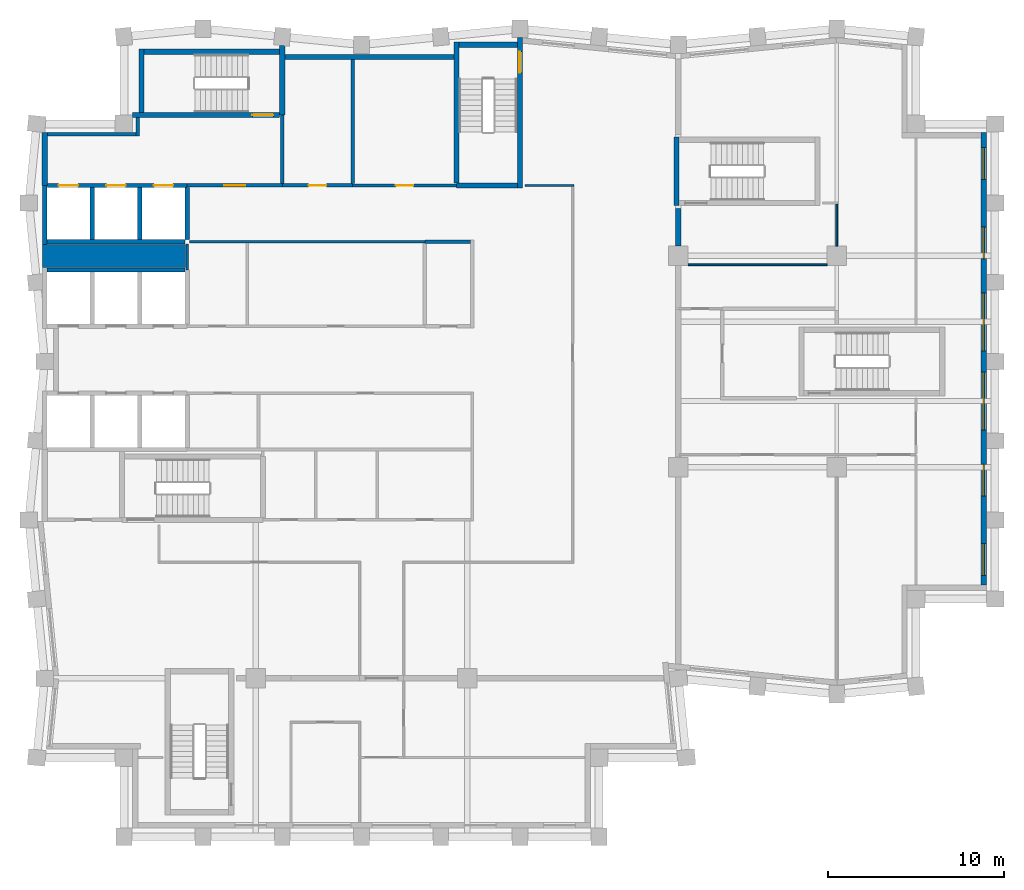
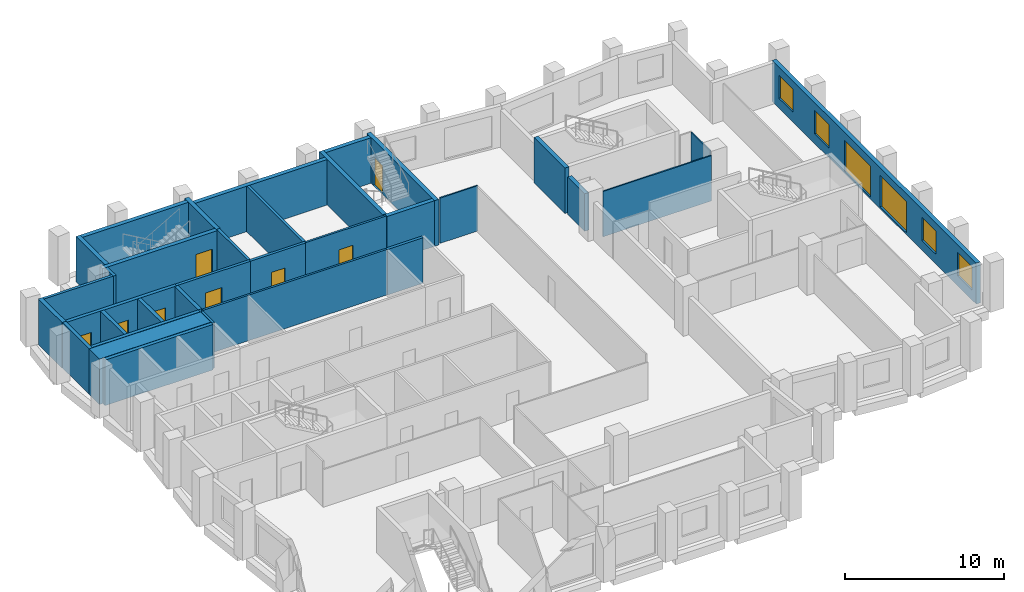
# One storey, part 5 of 7: 34 walls, 8 doors, 6 windows, 14 openings.
"""IFC4 building model written with IfcOpenShell, lengths in metres."""

import ifcopenshell
import ifcopenshell.guid

model = None  # the IFC model being written
_history = None  # IfcOwnerHistory: only IFC2X3 demands one
_inside = {}  # id of a spatial element -> (the spatial element, [elements in it])
_under = {}  # id of a project, library or spatial element -> (it, [spatial elements below it])
_declared = {}  # id of a project -> (the project, [libraries it declares])
_typed = {}  # id of a type object -> (the type object, [elements of that type])
_made_of = {}  # id of a material, layer set ... -> (it, [elements and type objects made of it])


def new_model(schema):
    """Start an empty IFC model of exactly this schema.

    Asked for "IFC4X3", IfcOpenShell would pick the latest addendum, in which some entities
    have other attributes; the version numbers below select the first issue.
    IFC2X3 requires an IfcOwnerHistory on every rooted entity: one is made here for all.
    """
    global model, _history
    if schema == "IFC4X3":
        model = ifcopenshell.file(schema_version=(4, 3, 0, 0))
    else:
        model = ifcopenshell.file(schema=schema)
    _inside.clear()
    _under.clear()
    _declared.clear()
    _typed.clear()
    _made_of.clear()
    _history = None
    if model.schema == "IFC2X3":
        org = make("IfcOrganization", Name="unknown")
        user = make(
            "IfcPersonAndOrganization",
            ThePerson=make("IfcPerson", FamilyName="unknown"),
            TheOrganization=org,
        )
        app = make(
            "IfcApplication",
            ApplicationDeveloper=org,
            Version="unknown",
            ApplicationFullName="unknown",
            ApplicationIdentifier="unknown",
        )
        _history = make(
            "IfcOwnerHistory",
            OwningUser=user,
            OwningApplication=app,
            ChangeAction="ADDED",
            CreationDate=0,
        )
    return model


def make(cls, **values):
    """One entity of the class cls with the attributes given. An attribute that is None is left unset."""
    return model.create_entity(
        cls, **{name: value for name, value in values.items() if value is not None}
    )


def rooted(cls, **values):
    """An entity with a GlobalId (a new one), such as an element, a storey or a relation."""
    return make(cls, GlobalId=ifcopenshell.guid.new(), OwnerHistory=_history, **values)


def si_unit(unit_type, name, prefix=None):
    """IfcSIUnit, for example si_unit("LENGTHUNIT", "METRE", prefix="MILLI")."""
    return make("IfcSIUnit", UnitType=unit_type, Prefix=prefix, Name=name)


def assignment(units):
    """IfcUnitAssignment: the units of a project."""
    return None if units is None else make("IfcUnitAssignment", Units=units)


def point(xyz):
    """IfcCartesianPoint."""
    return None if xyz is None else make("IfcCartesianPoint", Coordinates=xyz)


def direction(xyz):
    """IfcDirection."""
    return None if xyz is None else make("IfcDirection", DirectionRatios=xyz)


def frame(location, z_axis=None, x_axis=None):
    """IfcAxis2Placement3D, a coordinate frame: its origin and axes. An axis left out is left unset."""
    return make(
        "IfcAxis2Placement3D",
        Location=point(location),
        Axis=direction(z_axis),
        RefDirection=direction(x_axis),
    )


def frame_2d(location, x_axis=None):
    """IfcAxis2Placement2D, a coordinate frame in the plane: its origin and x axis."""
    return make(
        "IfcAxis2Placement2D", Location=point(location), RefDirection=direction(x_axis)
    )


def origin():
    """The frame at (0, 0, 0) with its axes left unset."""
    return frame((0.0, 0.0, 0.0))


def place(relative_to, where):
    """IfcLocalPlacement: puts the frame where relative to a parent placement (None: the world)."""
    return make(
        "IfcLocalPlacement", PlacementRelTo=relative_to, RelativePlacement=where
    )


def context(
    kind, dimensions, precision=None, world=None, true_north=None, identifier=None
):
    """IfcGeometricRepresentationContext, for example the 3D "Model" context."""
    return make(
        "IfcGeometricRepresentationContext",
        ContextIdentifier=identifier,
        ContextType=kind,
        CoordinateSpaceDimension=dimensions,
        Precision=precision,
        WorldCoordinateSystem=world,
        TrueNorth=true_north,
    )


def subcontext(parent, identifier, kind, view, scale=None):
    """IfcGeometricRepresentationSubContext, for example "Body" below "Model"."""
    return make(
        "IfcGeometricRepresentationSubContext",
        ContextIdentifier=identifier,
        ContextType=kind,
        ParentContext=parent,
        TargetScale=scale,
        TargetView=view,
    )


def project(units=None, contexts=None):
    """IfcProject with its units and contexts."""
    return rooted(
        "IfcProject",
        Name="project",
        RepresentationContexts=contexts,
        UnitsInContext=assignment(units),
    )


def spatial(cls, under=None, at=None, **own):
    """A site, building, storey or space (cls), placed at a placement, below another one or the project."""
    s = rooted(cls, ObjectPlacement=at, **own)
    if under is not None:
        _under.setdefault(under.id(), (under, []))[1].append(s)
    return s


def profile(cls, at=None, kind="AREA", **sizes):
    """A parametric profile (cls). Its sizes go by their IFC names, for example OverallWidth=200.0."""
    return make(cls, ProfileType=kind, Position=at, **sizes)


def rectangle(**sizes):
    """IfcRectangleProfileDef."""
    return profile("IfcRectangleProfileDef", **sizes)


def extrude(swept, where, along, depth):
    """IfcExtrudedAreaSolid: the profile swept, set in the frame where, extruded along a direction by depth."""
    return make(
        "IfcExtrudedAreaSolid",
        SweptArea=swept,
        Position=where,
        ExtrudedDirection=direction(along),
        Depth=depth,
    )


def shape(context_of_items, identifier, shape_type, items):
    """IfcShapeRepresentation: the items that make up one representation, for example the "Body"."""
    return make(
        "IfcShapeRepresentation",
        ContextOfItems=context_of_items,
        RepresentationIdentifier=identifier,
        RepresentationType=shape_type,
        Items=items,
    )


def material(Name=None, Category=None):
    """IfcMaterial."""
    return make("IfcMaterial", Name=Name, Category=Category)


def layer(
    of_material, thickness, ventilated=None, Name=None, Category=None, Priority=None
):
    """IfcMaterialLayer: one layer of a wall or slab, of a material (None: an air gap)."""
    return make(
        "IfcMaterialLayer",
        Material=of_material,
        LayerThickness=thickness,
        IsVentilated=ventilated,
        Name=Name,
        Category=Category,
        Priority=Priority,
    )


def layer_set(layers, Name=None):
    """IfcMaterialLayerSet."""
    return make("IfcMaterialLayerSet", MaterialLayers=layers, LayerSetName=Name)


def made_of(thing, what):
    """Note that an element or type object is made of a material, layer set ...; save() writes the relation."""
    if what is not None:
        _made_of.setdefault(what.id(), (what, []))[1].append(thing)
    return thing


def type_object(cls, material=None, **own):
    """A type object (cls), such as IfcWallType, which elements share."""
    return made_of(rooted(cls, **own), material)


def element(
    cls,
    number,
    at=None,
    inside=None,
    cuts=None,
    type_object=None,
    material=None,
    context=None,
    identifier="Body",
    shape_type=None,
    held_by="IfcProductDefinitionShape",
    body=None,
    shapes=None,
    **own,
):
    """One element of the class cls, such as IfcWall. Its Tag is "e" and its number.

    at: its placement. inside: the storey or other place that contains it. cuts: it is an
    opening in that element (IfcRelVoidsElement). A single representation is given by context,
    identifier, shape_type and body (its items); several are given by shapes. held_by: the class
    of the entity that holds the representations. save() writes the other relations.
    """
    e = rooted(cls, Tag="e%d" % number, ObjectPlacement=at, **own)
    if body is not None:
        shapes = [shape(context, identifier, shape_type, body)]
    if shapes is not None:
        e.Representation = make(held_by, Representations=shapes)
    if inside is not None:
        _inside.setdefault(inside.id(), (inside, []))[1].append(e)
    if cuts is not None:
        rooted(
            "IfcRelVoidsElement", RelatingBuildingElement=cuts, RelatedOpeningElement=e
        )
    if type_object is not None:
        _typed.setdefault(type_object.id(), (type_object, []))[1].append(e)
    return made_of(e, material)


def fill(opening, filler):
    """IfcRelFillsElement: the door or window that sits in an opening."""
    return rooted(
        "IfcRelFillsElement",
        RelatingOpeningElement=opening,
        RelatedBuildingElement=filler,
    )


def aggregate(whole, parts):
    """IfcRelAggregates: a whole, such as a stair, and the parts it consists of."""
    return rooted("IfcRelAggregates", RelatingObject=whole, RelatedObjects=parts)


def save(model, path):
    """Write the relations noted so far, then the file.

    IfcRelAggregates (storeys below a building ...), IfcRelContainedInSpatialStructure (elements
    in a storey), IfcRelDefinesByType, IfcRelAssociatesMaterial and IfcRelDeclares: one each for
    every whole, place, type object, material and project.
    """
    for whole, parts in _under.values():
        aggregate(whole, parts)
    for where, things in _inside.values():
        rooted(
            "IfcRelContainedInSpatialStructure",
            RelatedElements=things,
            RelatingStructure=where,
        )
    for kind, things in _typed.values():
        rooted("IfcRelDefinesByType", RelatedObjects=things, RelatingType=kind)
    for what, things in _made_of.values():
        rooted("IfcRelAssociatesMaterial", RelatedObjects=things, RelatingMaterial=what)
    for by, libraries in _declared.values():
        rooted("IfcRelDeclares", RelatingContext=by, RelatedDefinitions=libraries)
    model.write(path)


model = new_model("IFC4")

# Units and contexts
model_context = context("Model", 3, precision=1e-05, world=origin(), true_north=direction((0.0, 1.0)))
body_context = subcontext(model_context, "Body", "Model", "MODEL_VIEW")
ifc_project = project(units=[si_unit("LENGTHUNIT", "METRE"), si_unit("AREAUNIT", "SQUARE_METRE"), si_unit("VOLUMEUNIT", "CUBIC_METRE"), si_unit("PLANEANGLEUNIT", "RADIAN"), si_unit("MASSUNIT", "GRAM", prefix="KILO")], contexts=[model_context])

# Site, building, storey
site_placement = place(None, origin())
site = spatial("IfcSite", under=ifc_project, at=site_placement, CompositionType="ELEMENT")
building_placement = place(site_placement, origin())
building = spatial("IfcBuilding", under=site, at=building_placement, Name="Brondeck Convention Tower", CompositionType="ELEMENT")
storey_placement = place(building_placement, frame((0.0, 0.0, 202.60009765625)))
storey = spatial("IfcBuildingStorey", under=building, at=storey_placement, Name="L49", CompositionType="ELEMENT", Elevation=202.60009765625)

# Walls
ifc_material_1 = material(Name="Concrete compartment wall C30/37", Category="concrete")
ifc_layer_1 = layer(ifc_material_1, 0.300048828125)
ifc_layer_set_1 = layer_set([ifc_layer_1], Name="Compartment wall 300")
wall_type_1 = type_object("IfcWallType", Name="Compartment wall 300", PredefinedType="PARTITIONING", material=ifc_layer_set_1)
wall_1_placement = place(storey_placement, frame((36.0, 51.554931640625, 0.0), z_axis=(0.0, 0.0, 1.0), x_axis=(0.0, 1.0, 0.0)))
element("IfcWall", 1, at=wall_1_placement, inside=storey, type_object=wall_type_1, Name="FLR-L49-W041", PredefinedType="PARTITIONING", context=body_context, shape_type="SweptSolid", body=[
    extrude(rectangle(XDim=2.14501953125, YDim=0.300048828125, at=frame_2d((1.072509765625, 0.0))), origin(), (0.0, 0.0, 1.0), 2.8798828125),
])
ifc_material_2 = material(Name="Concrete C50/60", Category="concrete")
ifc_layer_2 = layer(ifc_material_2, 0.300048828125)
ifc_layer_set_2 = layer_set([ifc_layer_2], Name="Core outer wall 300 Concrete C50/60")
wall_type_2 = type_object("IfcWallType", Name="Core outer wall 300 Concrete C50/60", PredefinedType="SHEAR", material=ifc_layer_set_2)
wall_2_placement = place(storey_placement, frame((13.64990234375, 62.300048828125, 0.0), z_axis=(0.0, 0.0, 1.0), x_axis=(1.0, 0.0, 0.0)))
element("IfcWall", 2, at=wall_2_placement, inside=storey, type_object=wall_type_2, Name="L49 core wall", PredefinedType="SHEAR", context=body_context, shape_type="SweptSolid", body=[
    extrude(rectangle(XDim=9.60009765625, YDim=0.300048828125, at=frame_2d((4.800048828125, 0.0))), origin(), (0.0, 0.0, 1.0), 3.5),
])
wall_3_placement = place(storey_placement, frame((0.0, 55.0, 0.0), z_axis=(0.0, 0.0, 1.0), x_axis=(0.0, 1.0, 0.0)))
element("IfcWall", 3, at=wall_3_placement, inside=storey, type_object=wall_type_2, Name="L49 core wall", PredefinedType="SHEAR", context=body_context, shape_type="SweptSolid", body=[
    extrude(rectangle(XDim=3.0, YDim=0.300048828125, at=frame_2d((1.5, 0.0))), origin(), (0.0, 0.0, 1.0), 3.5),
])
ifc_material_3 = material(Name="Fire-rated gypsum board partition")
ifc_layer_3 = layer(ifc_material_3, 0.14990234375)
ifc_layer_set_3 = layer_set([ifc_layer_3], Name="Core partition 150 EI 60")
wall_type_3 = type_object("IfcWallType", Name="Core partition 150 EI 60", PredefinedType="PARTITIONING", material=ifc_layer_set_3)
wall_4_placement = place(storey_placement, frame((8.22509765625, 51.800048828125, 0.0), z_axis=(0.0, 0.0, 1.0), x_axis=(1.0, 0.0, 0.0)))
element("IfcWall", 4, at=wall_4_placement, inside=storey, type_object=wall_type_3, Name="L49 core wall", PredefinedType="PARTITIONING", context=body_context, shape_type="SweptSolid", body=[
    extrude(rectangle(XDim=13.375, YDim=0.14990234375, at=frame_2d((6.6875, 0.0))), origin(), (0.0, 0.0, 1.0), 3.5),
])

# Wall, opening, door
wall_5_placement = place(storey_placement, frame((17.5, 55.0, 0.0), z_axis=(0.0, 0.0, 1.0), x_axis=(1.0, 0.0, 0.0)))
wall_5 = element("IfcWall", 5, at=wall_5_placement, inside=storey, type_object=wall_type_3, Name="L49 core wall", PredefinedType="PARTITIONING", context=body_context, shape_type="SweptSolid", body=[
    extrude(rectangle(XDim=5.89990234375, YDim=0.14990234375, at=frame_2d((2.949951171875, 0.0))), origin(), (0.0, 0.0, 1.0), 3.5),
])
opening_1_placement = place(wall_5_placement, frame((2.449951171875, 0.0, 0.0)))
opening_1 = element("IfcOpeningElement", 6, at=opening_1_placement, cuts=wall_5, Name="Opening C28-12", PredefinedType="OPENING", context=body_context, shape_type="SweptSolid", body=[
    extrude(rectangle(XDim=1.0, YDim=2.10009765625, at=frame_2d((0.5, 1.050048828125))), frame((0.0, 0.0849609375, 0.0), z_axis=(0.0, -1.0, 0.0), x_axis=(1.0, 0.0, 0.0)), (0.0, 0.0, 1.0), 0.169921875),
])
ifc_material_4 = material(Name="Steel fire door", Category="steel")
door_type_1 = type_object("IfcDoorType", Name="Room door 1000x2100 EI 60", OperationType="NOTDEFINED", PredefinedType="DOOR", material=ifc_material_4)
door_1_placement = place(opening_1_placement, origin())
door_1 = element("IfcDoor", 7, at=door_1_placement, inside=storey, type_object=door_type_1, Name="L49 Room door NE-2", OperationType="SINGLE_SWING_RIGHT", OverallHeight=2.10009765625, OverallWidth=1.0, PredefinedType="DOOR", context=body_context, shape_type="SweptSolid", body=[
    extrude(rectangle(XDim=1.0, YDim=2.10009765625, at=frame_2d((0.5, 1.050048828125))), frame((0.0, 0.02490234375, 0.0), z_axis=(0.0, -1.0, 0.0), x_axis=(1.0, 0.0, 0.0)), (0.0, 0.0, 1.0), 0.050048828125),
])
fill(opening_1, door_1)

# Walls
wall_6_placement = place(storey_placement, frame((8.10009765625, 50.199951171875, 0.0), z_axis=(0.0, 0.0, 1.0), x_axis=(0.0, 1.0, 0.0)))
element("IfcWall", 8, at=wall_6_placement, inside=storey, type_object=wall_type_3, Name="L49 core wall", PredefinedType="PARTITIONING", context=body_context, shape_type="SweptSolid", body=[
    extrude(rectangle(XDim=1.47509765625, YDim=0.14990234375, at=frame_2d((0.737548828125, 0.0))), origin(), (0.0, 0.0, 1.0), 3.5),
])
ifc_layer_4 = layer(ifc_material_2, 1.300048828125)
ifc_layer_set_4 = layer_set([ifc_layer_4], Name="Core shear wall 1300 Concrete C50/60")
wall_type_4 = type_object("IfcWallType", Name="Core shear wall 1300 Concrete C50/60", PredefinedType="SHEAR", material=ifc_layer_set_4)
wall_7_placement = place(storey_placement, frame((-0.125, 51.0, 0.0), z_axis=(0.0, 0.0, 1.0), x_axis=(1.0, 0.0, 0.0)))
element("IfcWall", 9, at=wall_7_placement, inside=storey, type_object=wall_type_4, Name="L49 core wall", PredefinedType="SHEAR", context=body_context, shape_type="SweptSolid", body=[
    extrude(rectangle(XDim=8.125, YDim=1.300048828125, at=frame_2d((4.0625, 0.0))), origin(), (0.0, 0.0, 1.0), 3.5),
])

# Wall, openings, windows
ifc_material_5 = material(Name="Precast concrete C50/60 bronze finish", Category="concrete")
ifc_layer_5 = layer(ifc_material_5, 0.070068359375, Name="Bronze precast facing")
ifc_material_6 = material(Name="Mineral wool")
ifc_layer_6 = layer(ifc_material_6, 0.159912109375, Name="Insulation")
ifc_material_7 = material(Name="Concrete C35/45", Category="concrete")
ifc_layer_7 = layer(ifc_material_7, 0.070068359375, Name="Backing")
ifc_layer_set_5 = layer_set([ifc_layer_5, ifc_layer_6, ifc_layer_7], Name="External infill wall, precast concrete C50/60 bronze facing")
wall_type_5 = type_object("IfcWallType", Name="External infill wall, precast concrete C50/60 bronze facing", PredefinedType="SOLIDWALL", material=ifc_layer_set_5)
wall_8_placement = place(storey_placement, frame((53.35009765625, 58.0, 0.0), z_axis=(0.0, 0.0, 1.0), x_axis=(0.0, -1.0, 0.0)))
wall_8 = element("IfcWall", 10, at=wall_8_placement, inside=storey, type_object=wall_type_5, Name="ENV-EW-L49-P2-A-E54-01", PredefinedType="SOLIDWALL", context=body_context, shape_type="SweptSolid", body=[
    extrude(rectangle(XDim=25.701904296875, YDim=0.300048828125, at=frame_2d((12.85107421875, 0.0))), origin(), (0.0, 0.0, 1.0), 3.14990234375),
])
opening_2_placement = place(wall_8_placement, frame((0.85009765625, 0.0, 0.75)))
opening_2 = element("IfcOpeningElement", 11, at=opening_2_placement, cuts=wall_8, Name="Opening W10", PredefinedType="OPENING", context=body_context, shape_type="SweptSolid", body=[
    extrude(rectangle(XDim=1.800048828125, YDim=1.800048828125, at=frame_2d((0.89990234375, 0.89990234375))), frame((0.0, 0.159912109375, 0.0), z_axis=(0.0, -1.0, 0.0), x_axis=(1.0, 0.0, 0.0)), (0.0, 0.0, 1.0), 0.320068359375),
])
opening_3_placement = place(wall_8_placement, frame((5.35009765625, 0.0, 0.75)))
opening_3 = element("IfcOpeningElement", 12, at=opening_3_placement, cuts=wall_8, Name="Opening W10", PredefinedType="OPENING", context=body_context, shape_type="SweptSolid", body=[
    extrude(rectangle(XDim=1.800048828125, YDim=1.800048828125, at=frame_2d((0.89990234375, 0.89990234375))), frame((0.0, 0.159912109375, 0.0), z_axis=(0.0, -1.0, 0.0), x_axis=(1.0, 0.0, 0.0)), (0.0, 0.0, 1.0), 0.320068359375),
])
opening_4_placement = place(wall_8_placement, frame((9.10009765625, 0.0, 0.14990234375)))
opening_4 = element("IfcOpeningElement", 13, at=opening_4_placement, cuts=wall_8, Name="Opening W9", PredefinedType="OPENING", context=body_context, shape_type="SweptSolid", body=[
    extrude(rectangle(XDim=3.300048828125, YDim=2.39990234375, at=frame_2d((1.64990234375, 1.199951171875))), frame((0.0, 0.159912109375, 0.0), z_axis=(0.0, -1.0, 0.0), x_axis=(1.0, 0.0, 0.0)), (0.0, 0.0, 1.0), 0.320068359375),
])
opening_5_placement = place(wall_8_placement, frame((13.60009765625, 0.0, 0.14990234375)))
opening_5 = element("IfcOpeningElement", 14, at=opening_5_placement, cuts=wall_8, Name="Opening W9", PredefinedType="OPENING", context=body_context, shape_type="SweptSolid", body=[
    extrude(rectangle(XDim=3.300048828125, YDim=2.39990234375, at=frame_2d((1.64990234375, 1.199951171875))), frame((0.0, 0.159912109375, 0.0), z_axis=(0.0, -1.0, 0.0), x_axis=(1.0, 0.0, 0.0)), (0.0, 0.0, 1.0), 0.320068359375),
])
opening_6_placement = place(wall_8_placement, frame((18.85009765625, 0.0, 0.75)))
opening_6 = element("IfcOpeningElement", 15, at=opening_6_placement, cuts=wall_8, Name="Opening W10", PredefinedType="OPENING", context=body_context, shape_type="SweptSolid", body=[
    extrude(rectangle(XDim=1.800048828125, YDim=1.800048828125, at=frame_2d((0.89990234375, 0.89990234375))), frame((0.0, 0.159912109375, 0.0), z_axis=(0.0, -1.0, 0.0), x_axis=(1.0, 0.0, 0.0)), (0.0, 0.0, 1.0), 0.320068359375),
])
opening_7_placement = place(wall_8_placement, frame((23.35009765625, 0.0, 0.75)))
opening_7 = element("IfcOpeningElement", 16, at=opening_7_placement, cuts=wall_8, Name="Opening W10", PredefinedType="OPENING", context=body_context, shape_type="SweptSolid", body=[
    extrude(rectangle(XDim=1.800048828125, YDim=1.800048828125, at=frame_2d((0.89990234375, 0.89990234375))), frame((0.0, 0.159912109375, 0.0), z_axis=(0.0, -1.0, 0.0), x_axis=(1.0, 0.0, 0.0)), (0.0, 0.0, 1.0), 0.320068359375),
])
ifc_material_8 = material(Name="Bronze tinted double glazing", Category="glass")
window_type_1 = type_object("IfcWindowType", Name="Glazed flute window, bronze tinted", PartitioningType="SINGLE_PANEL", PredefinedType="WINDOW", material=ifc_material_8)
window_1_placement = place(opening_4_placement, origin())
window_1 = element("IfcWindow", 17, at=window_1_placement, inside=storey, type_object=window_type_1, Name="ENV-WN-L49-P2-A-E54-04", OverallHeight=2.39990234375, OverallWidth=3.300048828125, PartitioningType="SINGLE_PANEL", PredefinedType="WINDOW", context=body_context, shape_type="SweptSolid", body=[
    extrude(rectangle(XDim=3.300048828125, YDim=2.39990234375, at=frame_2d((1.64990234375, 1.199951171875))), frame((0.0, 0.030029296875, 0.0), z_axis=(0.0, -1.0, 0.0), x_axis=(1.0, 0.0, 0.0)), (0.0, 0.0, 1.0), 0.06005859375),
])
fill(opening_4, window_1)
window_2_placement = place(opening_5_placement, origin())
window_2 = element("IfcWindow", 18, at=window_2_placement, inside=storey, type_object=window_type_1, Name="ENV-WN-L49-P2-A-E54-03", OverallHeight=2.39990234375, OverallWidth=3.300048828125, PartitioningType="SINGLE_PANEL", PredefinedType="WINDOW", context=body_context, shape_type="SweptSolid", body=[
    extrude(rectangle(XDim=3.300048828125, YDim=2.39990234375, at=frame_2d((1.64990234375, 1.199951171875))), frame((0.0, 0.030029296875, 0.0), z_axis=(0.0, -1.0, 0.0), x_axis=(1.0, 0.0, 0.0)), (0.0, 0.0, 1.0), 0.06005859375),
])
fill(opening_5, window_2)
window_type_2 = type_object("IfcWindowType", Name="Punched window, bronze tinted", PartitioningType="SINGLE_PANEL", PredefinedType="WINDOW", material=ifc_material_8)
window_3_placement = place(opening_2_placement, origin())
window_3 = element("IfcWindow", 19, at=window_3_placement, inside=storey, type_object=window_type_2, Name="ENV-WN-L49-P2-A-E54-06", OverallHeight=1.800048828125, OverallWidth=1.800048828125, PartitioningType="SINGLE_PANEL", PredefinedType="WINDOW", context=body_context, shape_type="SweptSolid", body=[
    extrude(rectangle(XDim=1.800048828125, YDim=1.800048828125, at=frame_2d((0.89990234375, 0.89990234375))), frame((0.0, 0.030029296875, 0.0), z_axis=(0.0, -1.0, 0.0), x_axis=(1.0, 0.0, 0.0)), (0.0, 0.0, 1.0), 0.06005859375),
])
fill(opening_2, window_3)
window_4_placement = place(opening_3_placement, origin())
window_4 = element("IfcWindow", 20, at=window_4_placement, inside=storey, type_object=window_type_2, Name="ENV-WN-L49-P2-A-E54-05", OverallHeight=1.800048828125, OverallWidth=1.800048828125, PartitioningType="SINGLE_PANEL", PredefinedType="WINDOW", context=body_context, shape_type="SweptSolid", body=[
    extrude(rectangle(XDim=1.800048828125, YDim=1.800048828125, at=frame_2d((0.89990234375, 0.89990234375))), frame((0.0, 0.030029296875, 0.0), z_axis=(0.0, -1.0, 0.0), x_axis=(1.0, 0.0, 0.0)), (0.0, 0.0, 1.0), 0.06005859375),
])
fill(opening_3, window_4)
window_5_placement = place(opening_6_placement, origin())
window_5 = element("IfcWindow", 21, at=window_5_placement, inside=storey, type_object=window_type_2, Name="ENV-WN-L49-P2-A-E54-02", OverallHeight=1.800048828125, OverallWidth=1.800048828125, PartitioningType="SINGLE_PANEL", PredefinedType="WINDOW", context=body_context, shape_type="SweptSolid", body=[
    extrude(rectangle(XDim=1.800048828125, YDim=1.800048828125, at=frame_2d((0.89990234375, 0.89990234375))), frame((0.0, 0.030029296875, 0.0), z_axis=(0.0, -1.0, 0.0), x_axis=(1.0, 0.0, 0.0)), (0.0, 0.0, 1.0), 0.06005859375),
])
fill(opening_6, window_5)
window_6_placement = place(opening_7_placement, origin())
window_6 = element("IfcWindow", 22, at=window_6_placement, inside=storey, type_object=window_type_2, Name="ENV-WN-L49-P2-A-E54-01", OverallHeight=1.800048828125, OverallWidth=1.800048828125, PartitioningType="SINGLE_PANEL", PredefinedType="WINDOW", context=body_context, shape_type="SweptSolid", body=[
    extrude(rectangle(XDim=1.800048828125, YDim=1.800048828125, at=frame_2d((0.89990234375, 0.89990234375))), frame((0.0, 0.030029296875, 0.0), z_axis=(0.0, -1.0, 0.0), x_axis=(1.0, 0.0, 0.0)), (0.0, 0.0, 1.0), 0.06005859375),
])
fill(opening_7, window_6)

# Wall, opening, door
ifc_layer_8 = layer(ifc_material_3, 0.199951171875)
ifc_layer_set_6 = layer_set([ifc_layer_8], Name="Firefighting lobby wall 200 EI 120")
wall_type_6 = type_object("IfcWallType", Name="Firefighting lobby wall 200 EI 120", PredefinedType="PARTITIONING", material=ifc_layer_set_6)
wall_9_placement = place(storey_placement, frame((8.10009765625, 55.0, 0.0), z_axis=(0.0, 0.0, 1.0), x_axis=(1.0, 0.0, 0.0)))
wall_9 = element("IfcWall", 23, at=wall_9_placement, inside=storey, type_object=wall_type_6, Name="L49 core wall", PredefinedType="PARTITIONING", context=body_context, shape_type="SweptSolid", body=[
    extrude(rectangle(XDim=5.39990234375, YDim=0.199951171875, at=frame_2d((2.699951171875, 0.0))), origin(), (0.0, 0.0, 1.0), 3.5),
])
opening_8_placement = place(wall_9_placement, frame((2.10009765625, 0.0, 0.0)))
opening_8 = element("IfcOpeningElement", 24, at=opening_8_placement, cuts=wall_9, Name="Opening C28-01", PredefinedType="OPENING", context=body_context, shape_type="SweptSolid", body=[
    extrude(rectangle(XDim=1.199951171875, YDim=2.199951171875, at=frame_2d((0.60009765625, 1.10009765625))), frame((0.0, 0.10986328125, 0.0), z_axis=(0.0, -1.0, 0.0), x_axis=(1.0, 0.0, 0.0)), (0.0, 0.0, 1.0), 0.219970703125),
])
door_type_2 = type_object("IfcDoorType", Name="Firefighting lobby door 1200x2200 EI 120", OperationType="NOTDEFINED", PredefinedType="DOOR", material=ifc_material_4)
door_2_placement = place(opening_8_placement, origin())
door_2 = element("IfcDoor", 25, at=door_2_placement, inside=storey, type_object=door_type_2, Name="L49 Firefighting lobby door FFL-1", OperationType="SINGLE_SWING_RIGHT", OverallHeight=2.199951171875, OverallWidth=1.199951171875, PredefinedType="DOOR", context=body_context, shape_type="SweptSolid", body=[
    extrude(rectangle(XDim=1.199951171875, YDim=2.199951171875, at=frame_2d((0.60009765625, 1.10009765625))), frame((0.0, 0.02490234375, 0.0), z_axis=(0.0, -1.0, 0.0), x_axis=(1.0, 0.0, 0.0)), (0.0, 0.0, 1.0), 0.050048828125),
])
fill(opening_8, door_2)

# Walls
wall_10_placement = place(storey_placement, frame((0.14990234375, 57.89990234375, 0.0), z_axis=(0.0, 0.0, 1.0), x_axis=(1.0, 0.0, 0.0)))
element("IfcWall", 26, at=wall_10_placement, inside=storey, type_object=wall_type_6, Name="L49 core wall", PredefinedType="PARTITIONING", context=body_context, shape_type="SweptSolid", body=[
    extrude(rectangle(XDim=5.050048828125, YDim=0.199951171875, at=frame_2d((2.52490234375, 0.0))), origin(), (0.0, 0.0, 1.0), 3.5),
])
wall_11_placement = place(storey_placement, frame((5.300048828125, 57.800048828125, 0.0), z_axis=(0.0, 0.0, 1.0), x_axis=(0.0, 1.0, 0.0)))
element("IfcWall", 27, at=wall_11_placement, inside=storey, type_object=wall_type_6, Name="L49 core wall", PredefinedType="PARTITIONING", context=body_context, shape_type="SweptSolid", body=[
    extrude(rectangle(XDim=1.050048828125, YDim=0.199951171875, at=frame_2d((0.52490234375, 0.0))), origin(), (0.0, 0.0, 1.0), 3.5),
])
wall_12_placement = place(storey_placement, frame((13.5, 55.10009765625, 0.0), z_axis=(0.0, 0.0, 1.0), x_axis=(0.0, 1.0, 0.0)))
element("IfcWall", 28, at=wall_12_placement, inside=storey, type_object=wall_type_6, Name="L49 core wall", PredefinedType="PARTITIONING", context=body_context, shape_type="SweptSolid", body=[
    extrude(rectangle(XDim=3.89990234375, YDim=0.199951171875, at=frame_2d((1.949951171875, 0.0))), origin(), (0.0, 0.0, 1.0), 3.5),
])
ifc_layer_9 = layer(ifc_material_2, 0.25)
ifc_layer_set_7 = layer_set([ifc_layer_9], Name="Lift shaft wall 250 Concrete C50/60")
wall_type_7 = type_object("IfcWallType", Name="Lift shaft wall 250 Concrete C50/60", PredefinedType="SHEAR", material=ifc_layer_set_7)
for number, where, z_axis, x_axis, name in (
    (29, (0.125, 50.199951171875, 0.0), (0.0, 0.0, 1.0), (1.0, 0.0, 0.0), "L49 core wall"),
    (30, (0.125, 51.800048828125, 0.0), (0.0, 0.0, 1.0), (1.0, 0.0, 0.0), "L49 core wall"),
):
    element("IfcWall", number, at=place(storey_placement, frame(where, z_axis=z_axis, x_axis=x_axis)), inside=storey, type_object=wall_type_7, Name=name, PredefinedType="SHEAR", context=body_context, shape_type="SweptSolid", body=[
        extrude(rectangle(XDim=7.85009765625, YDim=0.25, at=frame_2d((3.925048828125, 0.0))), origin(), (0.0, 0.0, 1.0), 3.5),
    ])

# Wall, openings, doors
wall_13_placement = place(storey_placement, frame((0.14990234375, 55.0, 0.0), z_axis=(0.0, 0.0, 1.0), x_axis=(1.0, 0.0, 0.0)))
wall_13 = element("IfcWall", 31, at=wall_13_placement, inside=storey, type_object=wall_type_7, Name="L49 core wall", PredefinedType="SHEAR", context=body_context, shape_type="SweptSolid", body=[
    extrude(rectangle(XDim=7.9501953125, YDim=0.25, at=frame_2d((3.97509765625, 0.0))), origin(), (0.0, 0.0, 1.0), 3.5),
])
opening_9_placement = place(wall_13_placement, frame((0.64990234375, 0.0, 0.0)))
opening_9 = element("IfcOpeningElement", 32, at=opening_9_placement, cuts=wall_13, Name="Opening C28-19", PredefinedType="OPENING", context=body_context, shape_type="SweptSolid", body=[
    extrude(rectangle(XDim=1.10009765625, YDim=2.10009765625, at=frame_2d((0.550048828125, 1.050048828125))), frame((0.0, 0.135009765625, 0.0), z_axis=(0.0, -1.0, 0.0), x_axis=(1.0, 0.0, 0.0)), (0.0, 0.0, 1.0), 0.27001953125),
])
opening_10_placement = place(wall_13_placement, frame((3.35009765625, 0.0, 0.0)))
opening_10 = element("IfcOpeningElement", 33, at=opening_10_placement, cuts=wall_13, Name="Opening C28-20", PredefinedType="OPENING", context=body_context, shape_type="SweptSolid", body=[
    extrude(rectangle(XDim=1.10009765625, YDim=2.10009765625, at=frame_2d((0.550048828125, 1.050048828125))), frame((0.0, 0.135009765625, 0.0), z_axis=(0.0, -1.0, 0.0), x_axis=(1.0, 0.0, 0.0)), (0.0, 0.0, 1.0), 0.27001953125),
])
opening_11_placement = place(wall_13_placement, frame((6.050048828125, 0.0, 0.0)))
opening_11 = element("IfcOpeningElement", 34, at=opening_11_placement, cuts=wall_13, Name="Opening C28-21", PredefinedType="OPENING", context=body_context, shape_type="SweptSolid", body=[
    extrude(rectangle(XDim=1.10009765625, YDim=2.10009765625, at=frame_2d((0.550048828125, 1.050048828125))), frame((0.0, 0.135009765625, 0.0), z_axis=(0.0, -1.0, 0.0), x_axis=(1.0, 0.0, 0.0)), (0.0, 0.0, 1.0), 0.27001953125),
])
ifc_material_9 = material(Name="Stainless steel lift door", Category="steel")
door_type_3 = type_object("IfcDoorType", Name="Lift landing door 1100x2100 EI 180", OperationType="DOUBLE_DOOR_SLIDING", PredefinedType="DOOR", material=ifc_material_9)
door_3_placement = place(opening_9_placement, origin())
door_3 = element("IfcDoor", 35, at=door_3_placement, inside=storey, type_object=door_type_3, Name="L49 Lift landing door FF1", OperationType="DOUBLE_DOOR_SLIDING", OverallHeight=2.10009765625, OverallWidth=1.10009765625, PredefinedType="DOOR", context=body_context, shape_type="SweptSolid", body=[
    extrude(rectangle(XDim=1.10009765625, YDim=2.10009765625, at=frame_2d((0.550048828125, 1.050048828125))), frame((0.0, 0.02490234375, 0.0), z_axis=(0.0, -1.0, 0.0), x_axis=(1.0, 0.0, 0.0)), (0.0, 0.0, 1.0), 0.050048828125),
])
fill(opening_9, door_3)
door_4_placement = place(opening_10_placement, origin())
door_4 = element("IfcDoor", 36, at=door_4_placement, inside=storey, type_object=door_type_3, Name="L49 Lift landing door FF2", OperationType="DOUBLE_DOOR_SLIDING", OverallHeight=2.10009765625, OverallWidth=1.10009765625, PredefinedType="DOOR", context=body_context, shape_type="SweptSolid", body=[
    extrude(rectangle(XDim=1.10009765625, YDim=2.10009765625, at=frame_2d((0.550048828125, 1.050048828125))), frame((0.0, 0.02490234375, 0.0), z_axis=(0.0, -1.0, 0.0), x_axis=(1.0, 0.0, 0.0)), (0.0, 0.0, 1.0), 0.050048828125),
])
fill(opening_10, door_4)
door_5_placement = place(opening_11_placement, origin())
door_5 = element("IfcDoor", 37, at=door_5_placement, inside=storey, type_object=door_type_3, Name="L49 Lift landing door FF3", OperationType="DOUBLE_DOOR_SLIDING", OverallHeight=2.10009765625, OverallWidth=1.10009765625, PredefinedType="DOOR", context=body_context, shape_type="SweptSolid", body=[
    extrude(rectangle(XDim=1.10009765625, YDim=2.10009765625, at=frame_2d((0.550048828125, 1.050048828125))), frame((0.0, 0.02490234375, 0.0), z_axis=(0.0, -1.0, 0.0), x_axis=(1.0, 0.0, 0.0)), (0.0, 0.0, 1.0), 0.050048828125),
])
fill(opening_11, door_5)

# Walls
wall_14_placement = place(storey_placement, frame((0.0, 51.64990234375, 0.0), z_axis=(0.0, 0.0, 1.0), x_axis=(0.0, 1.0, 0.0)))
element("IfcWall", 38, at=wall_14_placement, inside=storey, type_object=wall_type_7, Name="L49 core wall", PredefinedType="SHEAR", context=body_context, shape_type="SweptSolid", body=[
    extrude(rectangle(XDim=3.35009765625, YDim=0.25, at=frame_2d((1.675048828125, 0.0))), origin(), (0.0, 0.0, 1.0), 3.5),
])
for number, where, z_axis, x_axis, name in (
    (39, (2.699951171875, 51.925048828125, 0.0), (0.0, 0.0, 1.0), (0.0, 1.0, 0.0), "L49 core wall"),
    (40, (5.39990234375, 51.925048828125, 0.0), (0.0, 0.0, 1.0), (0.0, 1.0, 0.0), "L49 core wall"),
    (41, (8.10009765625, 51.925048828125, 0.0), (0.0, 0.0, 1.0), (0.0, 1.0, 0.0), "L49 core wall"),
):
    element("IfcWall", number, at=place(storey_placement, frame(where, z_axis=z_axis, x_axis=x_axis)), inside=storey, type_object=wall_type_7, Name=name, PredefinedType="SHEAR", context=body_context, shape_type="SweptSolid", body=[
        extrude(rectangle(XDim=2.949951171875, YDim=0.25, at=frame_2d((1.47509765625, 0.0))), origin(), (0.0, 0.0, 1.0), 3.5),
    ])
ifc_layer_10 = layer(ifc_material_3, 0.199951171875)
ifc_layer_set_8 = layer_set([ifc_layer_10], Name="Riser wall 200 EI 120")
wall_type_8 = type_object("IfcWallType", Name="Riser wall 200 EI 120", PredefinedType="PARTITIONING", material=ifc_layer_set_8)
wall_15_placement = place(storey_placement, frame((21.60009765625, 51.800048828125, 0.0), z_axis=(0.0, 0.0, 1.0), x_axis=(1.0, 0.0, 0.0)))
element("IfcWall", 42, at=wall_15_placement, inside=storey, type_object=wall_type_8, Name="L49 core wall", PredefinedType="PARTITIONING", context=body_context, shape_type="SweptSolid", body=[
    extrude(rectangle(XDim=2.599853515625, YDim=0.199951171875, at=frame_2d((1.2998046875, 0.0))), origin(), (0.0, 0.0, 1.0), 3.5),
])

# Wall, opening, door
wall_16_placement = place(storey_placement, frame((13.5, 55.0, 0.0), z_axis=(0.0, 0.0, 1.0), x_axis=(1.0, 0.0, 0.0)))
wall_16 = element("IfcWall", 43, at=wall_16_placement, inside=storey, type_object=wall_type_8, Name="L49 core wall", PredefinedType="PARTITIONING", context=body_context, shape_type="SweptSolid", body=[
    extrude(rectangle(XDim=4.0, YDim=0.199951171875, at=frame_2d((2.0, 0.0))), origin(), (0.0, 0.0, 1.0), 3.5),
])
opening_12_placement = place(wall_16_placement, frame((1.5, 0.0, 0.0)))
opening_12 = element("IfcOpeningElement", 44, at=opening_12_placement, cuts=wall_16, Name="Opening C28-11", PredefinedType="OPENING", context=body_context, shape_type="SweptSolid", body=[
    extrude(rectangle(XDim=1.0, YDim=2.10009765625, at=frame_2d((0.5, 1.050048828125))), frame((0.0, 0.10986328125, 0.0), z_axis=(0.0, -1.0, 0.0), x_axis=(1.0, 0.0, 0.0)), (0.0, 0.0, 1.0), 0.219970703125),
])
door_type_4 = type_object("IfcDoorType", Name="Riser door 1000x2100 EI 120", OperationType="NOTDEFINED", PredefinedType="DOOR", material=ifc_material_4)
door_6_placement = place(opening_12_placement, origin())
door_6 = element("IfcDoor", 45, at=door_6_placement, inside=storey, type_object=door_type_4, Name="L49 Riser door NE-1", OperationType="SINGLE_SWING_LEFT", OverallHeight=2.10009765625, OverallWidth=1.0, PredefinedType="DOOR", context=body_context, shape_type="SweptSolid", body=[
    extrude(rectangle(XDim=1.0, YDim=2.10009765625, at=frame_2d((0.5, 1.050048828125))), frame((0.0, 0.02490234375, 0.0), z_axis=(0.0, -1.0, 0.0), x_axis=(1.0, 0.0, 0.0)), (0.0, 0.0, 1.0), 0.050048828125),
])
fill(opening_12, door_6)

# Walls
wall_17_placement = place(storey_placement, frame((17.5, 55.10009765625, 0.0), z_axis=(0.0, 0.0, 1.0), x_axis=(0.0, 1.0, 0.0)))
element("IfcWall", 46, at=wall_17_placement, inside=storey, type_object=wall_type_8, Name="L49 core wall", PredefinedType="PARTITIONING", context=body_context, shape_type="SweptSolid", body=[
    extrude(rectangle(XDim=7.0498046875, YDim=0.199951171875, at=frame_2d((3.52490234375, 0.0))), origin(), (0.0, 0.0, 1.0), 3.5),
])
ifc_material_10 = material(Name="Gypsum board partition on steel studs", Category="steel")
ifc_layer_11 = layer(ifc_material_10, 0.10009765625)
ifc_layer_set_9 = layer_set([ifc_layer_11], Name="Room partition 100")
wall_type_9 = type_object("IfcWallType", Name="Room partition 100", PredefinedType="PARTITIONING", material=ifc_layer_set_9)
wall_18_placement = place(storey_placement, frame((44.445068359375, 50.5, 0.0), z_axis=(0.0, 0.0, 1.0), x_axis=(-1.0, 0.0, 0.0)))
element("IfcWall", 47, at=wall_18_placement, inside=storey, type_object=wall_type_9, Name="FLR-L49-W040", PredefinedType="PARTITIONING", context=body_context, shape_type="SweptSolid", body=[
    extrude(rectangle(XDim=7.89013671875, YDim=0.10009765625, at=frame_2d((3.945068359375, 0.0))), origin(), (0.0, 0.0, 1.0), 3.47998046875),
])
wall_19_placement = place(storey_placement, frame((45.0, 53.949951171875, 0.0), z_axis=(0.0, 0.0, 1.0), x_axis=(0.0, -1.0, 0.0)))
element("IfcWall", 48, at=wall_19_placement, inside=storey, type_object=wall_type_9, Name="FLR-L49-W042", PredefinedType="PARTITIONING", context=body_context, shape_type="SweptSolid", body=[
    extrude(rectangle(XDim=2.39501953125, YDim=0.10009765625, at=frame_2d((1.197509765625, 0.0))), origin(), (0.0, 0.0, 1.0), 2.97998046875),
])
wall_20_placement = place(storey_placement, frame((27.300048828125, 55.0, 0.0), z_axis=(0.0, 0.0, 1.0), x_axis=(1.0, 0.0, 0.0)))
element("IfcWall", 49, at=wall_20_placement, inside=storey, type_object=wall_type_9, Name="FLR-L49-W045", PredefinedType="PARTITIONING", context=body_context, shape_type="SweptSolid", body=[
    extrude(rectangle(XDim=2.75, YDim=0.10009765625, at=frame_2d((1.375, 0.0))), origin(), (0.0, 0.0, 1.0), 3.47998046875),
])
ifc_layer_12 = layer(ifc_material_2, 0.300048828125)
ifc_layer_set_10 = layer_set([ifc_layer_12], Name="Stair enclosure wall 300 Concrete C50/60")
wall_type_10 = type_object("IfcWallType", Name="Stair enclosure wall 300 Concrete C50/60", PredefinedType="SHEAR", material=ifc_layer_set_10)
wall_21_placement = place(storey_placement, frame((23.39990234375, 55.0, 0.0), z_axis=(0.0, 0.0, 1.0), x_axis=(1.0, 0.0, 0.0)))
element("IfcWall", 50, at=wall_21_placement, inside=storey, type_object=wall_type_10, Name="L49 core wall", PredefinedType="SHEAR", context=body_context, shape_type="SweptSolid", body=[
    extrude(rectangle(XDim=3.4501953125, YDim=0.300048828125, at=frame_2d((1.72509765625, 0.0))), origin(), (0.0, 0.0, 1.0), 3.5),
])

# Wall, opening, door
wall_22_placement = place(storey_placement, frame((5.0, 59.0, 0.0), z_axis=(0.0, 0.0, 1.0), x_axis=(1.0, 0.0, 0.0)))
wall_22 = element("IfcWall", 51, at=wall_22_placement, inside=storey, type_object=wall_type_10, Name="L49 core wall", PredefinedType="SHEAR", context=body_context, shape_type="SweptSolid", body=[
    extrude(rectangle(XDim=8.35009765625, YDim=0.300048828125, at=frame_2d((4.175048828125, 0.0))), origin(), (0.0, 0.0, 1.0), 3.5),
])
opening_13_placement = place(wall_22_placement, frame((6.800048828125, 0.0, 0.0)))
opening_13 = element("IfcOpeningElement", 52, at=opening_13_placement, cuts=wall_22, Name="Opening C28-15", PredefinedType="OPENING", context=body_context, shape_type="SweptSolid", body=[
    extrude(rectangle(XDim=1.199951171875, YDim=2.199951171875, at=frame_2d((0.60009765625, 1.10009765625))), frame((0.0, 0.159912109375, 0.0), z_axis=(0.0, -1.0, 0.0), x_axis=(1.0, 0.0, 0.0)), (0.0, 0.0, 1.0), 0.320068359375),
])
door_type_5 = type_object("IfcDoorType", Name="Stair door 1200x2200 EI 120", OperationType="NOTDEFINED", PredefinedType="DOOR", material=ifc_material_4)
door_7_placement = place(opening_13_placement, origin())
door_7 = element("IfcDoor", 53, at=door_7_placement, inside=storey, type_object=door_type_5, Name="L49 Stair door ST-3", OperationType="SINGLE_SWING_RIGHT", OverallHeight=2.199951171875, OverallWidth=1.199951171875, PredefinedType="DOOR", context=body_context, shape_type="SweptSolid", body=[
    extrude(rectangle(XDim=1.199951171875, YDim=2.199951171875, at=frame_2d((0.60009765625, 1.10009765625))), frame((0.0, 0.02490234375, 0.0), z_axis=(0.0, -1.0, 0.0), x_axis=(1.0, 0.0, 0.0)), (0.0, 0.0, 1.0), 0.050048828125),
])
fill(opening_13, door_7)

# Walls
wall_23_placement = place(storey_placement, frame((5.64990234375, 62.60009765625, 0.0), z_axis=(0.0, 0.0, 1.0), x_axis=(1.0, 0.0, 0.0)))
element("IfcWall", 54, at=wall_23_placement, inside=storey, type_object=wall_type_10, Name="L49 core wall", PredefinedType="SHEAR", context=body_context, shape_type="SweptSolid", body=[
    extrude(rectangle(XDim=7.7001953125, YDim=0.300048828125, at=frame_2d((3.85009765625, 0.0))), origin(), (0.0, 0.0, 1.0), 3.5),
])
wall_24_placement = place(storey_placement, frame((23.550048828125, 63.0, 0.0), z_axis=(0.0, 0.0, 1.0), x_axis=(1.0, 0.0, 0.0)))
element("IfcWall", 55, at=wall_24_placement, inside=storey, type_object=wall_type_10, Name="L49 core wall", PredefinedType="SHEAR", context=body_context, shape_type="SweptSolid", body=[
    extrude(rectangle(XDim=3.300048828125, YDim=0.300048828125, at=frame_2d((1.64990234375, 0.0))), origin(), (0.0, 0.0, 1.0), 3.5),
])
wall_25_placement = place(storey_placement, frame((5.5, 59.14990234375, 0.0), z_axis=(0.0, 0.0, 1.0), x_axis=(0.0, 1.0, 0.0)))
element("IfcWall", 56, at=wall_25_placement, inside=storey, type_object=wall_type_10, Name="L49 core wall", PredefinedType="SHEAR", context=body_context, shape_type="SweptSolid", body=[
    extrude(rectangle(XDim=3.60009765625, YDim=0.300048828125, at=frame_2d((1.800048828125, 0.0))), origin(), (0.0, 0.0, 1.0), 3.5),
])
wall_26_placement = place(storey_placement, frame((13.5, 59.0, 0.0), z_axis=(0.0, 0.0, 1.0), x_axis=(0.0, 1.0, 0.0)))
element("IfcWall", 57, at=wall_26_placement, inside=storey, type_object=wall_type_10, Name="L49 core wall", PredefinedType="SHEAR", context=body_context, shape_type="SweptSolid", body=[
    extrude(rectangle(XDim=3.947509765625, YDim=0.300048828125, at=frame_2d((1.9736328125, 0.0))), origin(), (0.0, 0.0, 1.0), 3.5),
])
wall_27_placement = place(storey_placement, frame((23.39990234375, 55.14990234375, 0.0), z_axis=(0.0, 0.0, 1.0), x_axis=(0.0, 1.0, 0.0)))
element("IfcWall", 58, at=wall_27_placement, inside=storey, type_object=wall_type_10, Name="L49 core wall", PredefinedType="SHEAR", context=body_context, shape_type="SweptSolid", body=[
    extrude(rectangle(XDim=8.0, YDim=0.300048828125, at=frame_2d((4.0, 0.0))), origin(), (0.0, 0.0, 1.0), 3.5),
])

# Wall, opening, door
wall_28_placement = place(storey_placement, frame((27.0, 54.85009765625, 0.0), z_axis=(0.0, 0.0, 1.0), x_axis=(0.0, 1.0, 0.0)))
wall_28 = element("IfcWall", 59, at=wall_28_placement, inside=storey, type_object=wall_type_10, Name="L49 core wall", PredefinedType="SHEAR", context=body_context, shape_type="SweptSolid", body=[
    extrude(rectangle(XDim=8.5498046875, YDim=0.300048828125, at=frame_2d((4.27490234375, 0.0))), origin(), (0.0, 0.0, 1.0), 3.5),
])
opening_14_placement = place(wall_28_placement, frame((6.550048828125, 0.0, 0.0)))
opening_14 = element("IfcOpeningElement", 60, at=opening_14_placement, cuts=wall_28, Name="Opening C28-14", PredefinedType="OPENING", context=body_context, shape_type="SweptSolid", body=[
    extrude(rectangle(XDim=1.199951171875, YDim=2.199951171875, at=frame_2d((0.60009765625, 1.10009765625))), frame((0.0, 0.159912109375, 0.0), z_axis=(0.0, -1.0, 0.0), x_axis=(1.0, 0.0, 0.0)), (0.0, 0.0, 1.0), 0.320068359375),
])
door_type_6 = type_object("IfcDoorType", Name="Stair door 1200x2200 EI 90", OperationType="NOTDEFINED", PredefinedType="DOOR", material=ifc_material_4)
door_8_placement = place(opening_14_placement, origin())
door_8 = element("IfcDoor", 61, at=door_8_placement, inside=storey, type_object=door_type_6, Name="L49 Stair door ST-2", OperationType="SINGLE_SWING_LEFT", OverallHeight=2.199951171875, OverallWidth=1.199951171875, PredefinedType="DOOR", context=body_context, shape_type="SweptSolid", body=[
    extrude(rectangle(XDim=1.199951171875, YDim=2.199951171875, at=frame_2d((0.60009765625, 1.10009765625))), frame((0.0, 0.02490234375, 0.0), z_axis=(0.0, -1.0, 0.0), x_axis=(1.0, 0.0, 0.0)), (0.0, 0.0, 1.0), 0.050048828125),
])
fill(opening_14, door_8)

# Wall
wall_29_placement = place(storey_placement, frame((35.89990234375, 53.85009765625, 0.0), z_axis=(0.0, 0.0, 1.0), x_axis=(0.0, 1.0, 0.0)))
element("IfcWall", 62, at=wall_29_placement, inside=storey, type_object=wall_type_10, Name="L49 core wall", PredefinedType="SHEAR", context=body_context, shape_type="SweptSolid", body=[
    extrude(rectangle(XDim=3.89990234375, YDim=0.300048828125, at=frame_2d((1.949951171875, 0.0))), origin(), (0.0, 0.0, 1.0), 3.5),
])

save(model, "model.ifc")
